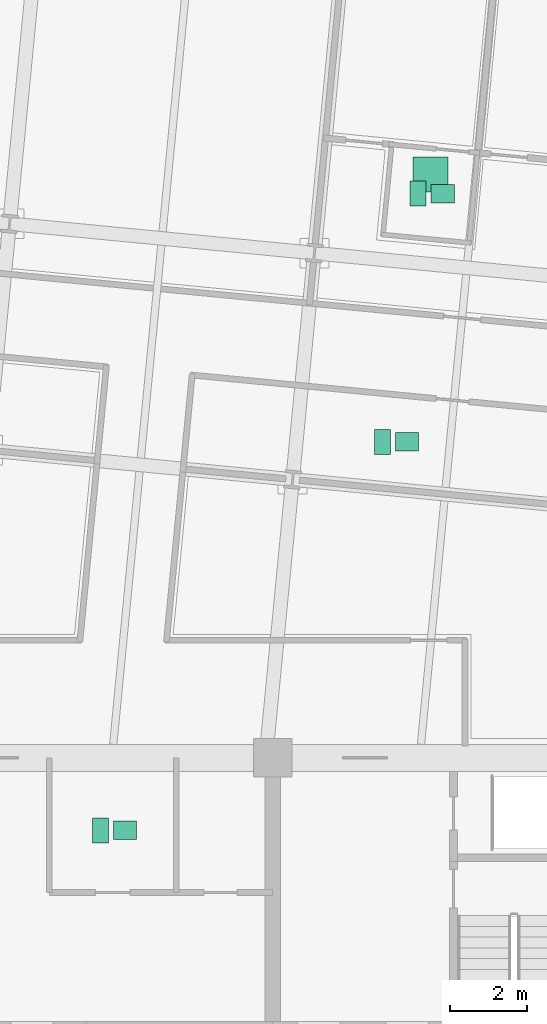
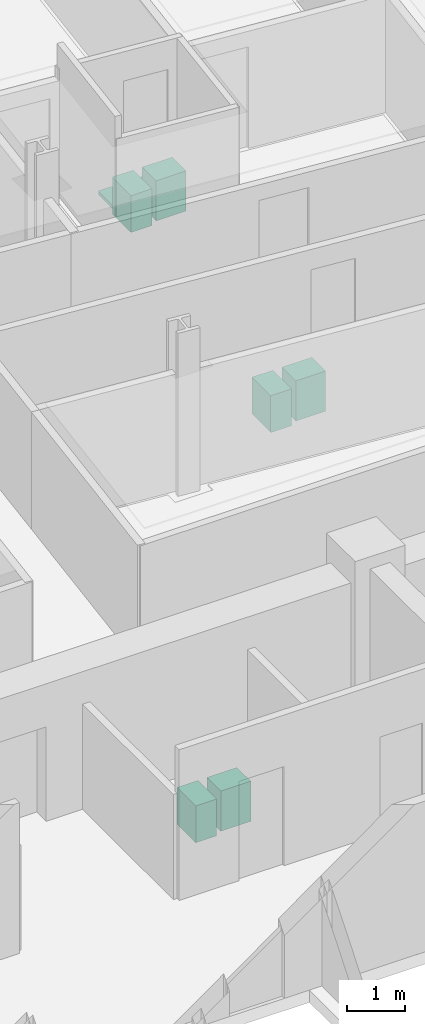
# One storey, part 16 of 16: 7 sanitary terminals.
"""IFC4 building model written with IfcOpenShell, lengths in metres."""

from ifc_helpers import new_model, si_unit, direction, frame, origin, origin_2d, place, context, subcontext, project, spatial, rectangle, extrude, material, type_object, element, save


model = new_model("IFC4")

# Units and contexts
model_context = context("Model", 3, precision=1e-05, world=origin(), true_north=direction((0.0, 1.0)))
body_context = subcontext(model_context, "Body", "Model", "MODEL_VIEW")
ifc_project = project(units=[si_unit("LENGTHUNIT", "METRE"), si_unit("AREAUNIT", "SQUARE_METRE"), si_unit("VOLUMEUNIT", "CUBIC_METRE"), si_unit("PLANEANGLEUNIT", "RADIAN"), si_unit("MASSUNIT", "GRAM", prefix="KILO")], contexts=[model_context])

# Site, building, storey
site_placement = place(None, origin())
site = spatial("IfcSite", under=ifc_project, at=site_placement, CompositionType="ELEMENT")
building_placement = place(site_placement, origin())
building = spatial("IfcBuilding", under=site, at=building_placement, Name="Solmavex Isthmus Hotel", CompositionType="ELEMENT")
storey_placement = place(building_placement, frame((0.0, 0.0, 160.050048828125)))
storey = spatial("IfcBuildingStorey", under=building, at=storey_placement, Name="L43", CompositionType="ELEMENT", Elevation=160.050048828125)

# Sanitary terminals
ifc_material = material(Name="Vitreous china ceramic", Category="ceramic")
sanitary_terminal_type_1 = type_object("IfcSanitaryTerminalType", Name="SAN-BASIN", PredefinedType="WASHHANDBASIN", material=ifc_material)
for number, where, z_axis, x_axis, name in (
    (1, (3.570068359375, -4.385009765625, 0.0), (0.0, 0.0, 1.0), (1.0, 0.0, 0.0), "Vanity Washbasin L43-203"),
    (2, (11.82177734375, 12.151611328125, 0.0), (0.0, 0.0, 1.0), (1.0, 0.0, 0.0), "Vanity Washbasin L43-204"),
    (3, (10.895263671875, 5.702880859375, 0.0), (0.0, 0.0, 1.0), (1.0, 0.0, 0.0), "Vanity Washbasin L43-205"),
):
    element("IfcSanitaryTerminal", number, at=place(storey_placement, frame(where, z_axis=z_axis, x_axis=x_axis)), inside=storey, type_object=sanitary_terminal_type_1, Name=name, PredefinedType="WASHHANDBASIN", context=body_context, shape_type="SweptSolid", body=[
        extrude(rectangle(XDim=0.60009765625, YDim=0.47998046875, at=origin_2d()), origin(), (0.0, 0.0, 1.0), 0.85009765625),
    ])
sanitary_terminal_type_2 = type_object("IfcSanitaryTerminalType", Name="SAN-SHOWER", PredefinedType="SHOWER", material=ifc_material)
sanitary_terminal_placement = place(storey_placement, frame((11.501708984375, 12.651611328125, 0.0), z_axis=(0.0, 0.0, 1.0), x_axis=(1.0, 0.0, 0.0)))
element("IfcSanitaryTerminal", 4, at=sanitary_terminal_placement, inside=storey, type_object=sanitary_terminal_type_2, Name="Walk-In Shower L43-204", PredefinedType="SHOWER", context=body_context, shape_type="SweptSolid", body=[
    extrude(rectangle(XDim=0.89990234375, YDim=0.89990234375, at=origin_2d()), origin(), (0.0, 0.0, 1.0), 0.080078125),
])
sanitary_terminal_type_3 = type_object("IfcSanitaryTerminalType", Name="SAN-WC-SUITE", PredefinedType="TOILETPAN", material=ifc_material)
for number, where, z_axis, x_axis, name in (
    (5, (2.929931640625, -4.385009765625, 0.0), (0.0, 0.0, 1.0), (1.0, 0.0, 0.0), "Water Closet L43-203"),
    (6, (11.181640625, 12.151611328125, 0.0), (0.0, 0.0, 1.0), (1.0, 0.0, 0.0), "Water Closet L43-204"),
    (7, (10.25537109375, 5.702880859375, 0.0), (0.0, 0.0, 1.0), (1.0, 0.0, 0.0), "Water Closet L43-205"),
):
    element("IfcSanitaryTerminal", number, at=place(storey_placement, frame(where, z_axis=z_axis, x_axis=x_axis)), inside=storey, type_object=sanitary_terminal_type_3, Name=name, PredefinedType="TOILETPAN", context=body_context, shape_type="SweptSolid", body=[
        extrude(rectangle(XDim=0.419921875, YDim=0.64990234375, at=origin_2d()), origin(), (0.0, 0.0, 1.0), 0.780029296875),
    ])

save(model, "model.ifc")
